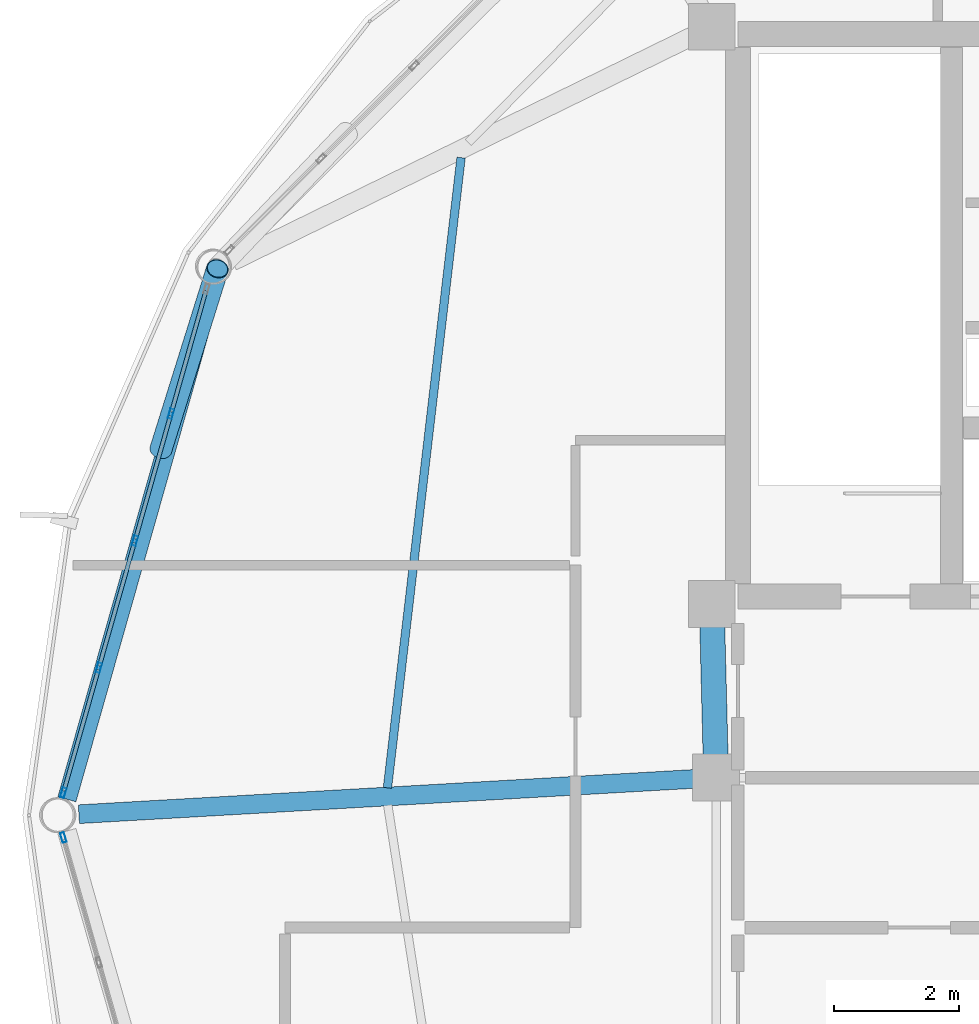
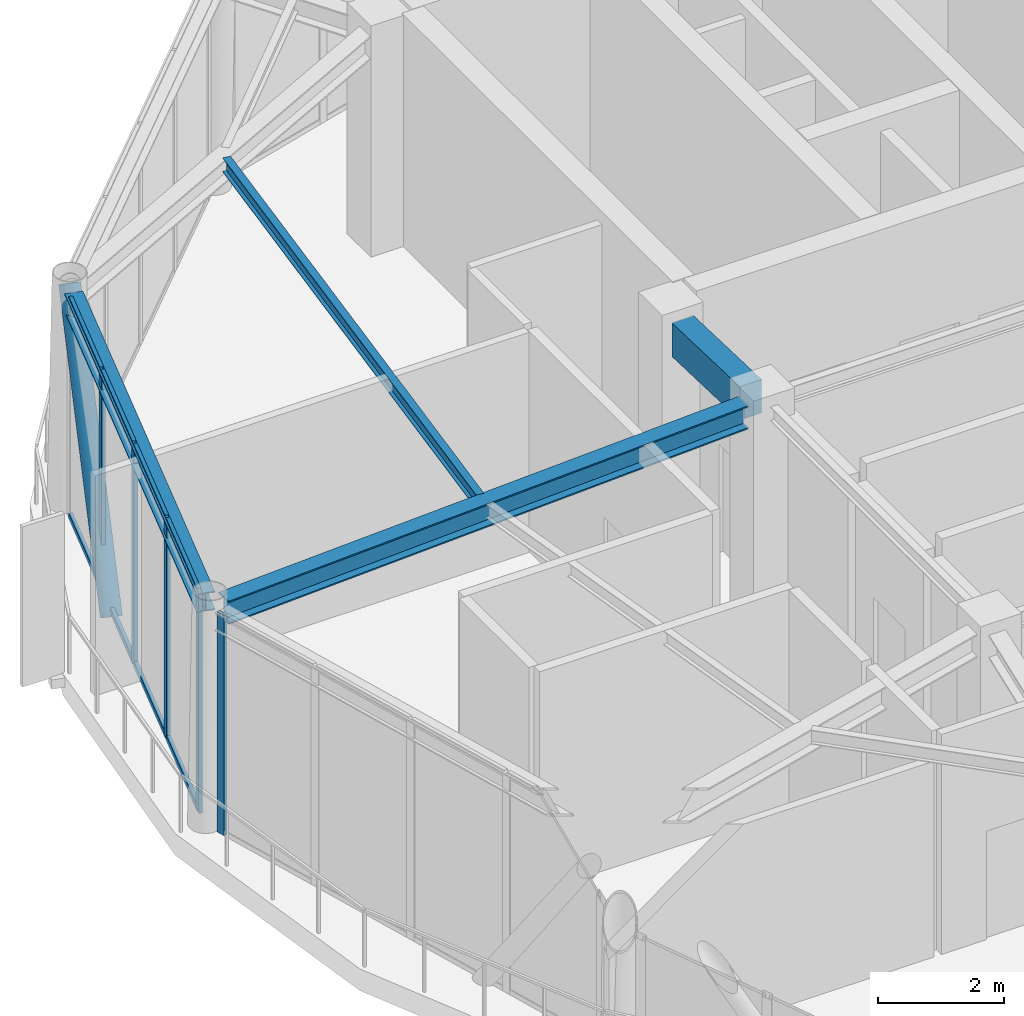
# One storey, part 11 of 26: 14 members, 4 beams, 2 elements without a shape of their own.
"""IFC4 building model written with IfcOpenShell, lengths in metres."""

from ifc_helpers import new_model, si_unit, direction, frame, origin, origin_2d, place, context, subcontext, project, spatial, rectangle, hollow_rectangle, hollow_circle, i_section, extrude, material, layer, layer_set, material_profile, profile_set, type_object, element, aggregate, save


model = new_model("IFC4")

# Units and contexts
model_context = context("Model", 3, precision=1e-05, world=origin(), true_north=direction((0.0, 1.0)))
body_context = subcontext(model_context, "Body", "Model", "MODEL_VIEW")
ifc_project = project(units=[si_unit("LENGTHUNIT", "METRE"), si_unit("AREAUNIT", "SQUARE_METRE"), si_unit("VOLUMEUNIT", "CUBIC_METRE"), si_unit("PLANEANGLEUNIT", "RADIAN"), si_unit("MASSUNIT", "GRAM", prefix="KILO")], contexts=[model_context])

# Site, building, storey
site_placement = place(None, origin())
site = spatial("IfcSite", under=ifc_project, at=site_placement, CompositionType="ELEMENT")
building_placement = place(site_placement, origin())
building = spatial("IfcBuilding", under=site, at=building_placement, Name="Varnakorn Sky Granary", CompositionType="ELEMENT")
storey_placement = place(building_placement, frame((0.0, 0.0, 289.5)))
storey = spatial("IfcBuildingStorey", under=building, at=storey_placement, Name="L74", CompositionType="ELEMENT", Elevation=289.5)

# Beams
ifc_material_1 = material(Name="Concrete C50/60", Category="concrete")
ifc_material_profile_1 = material_profile(ifc_material_1, rectangle(XDim=0.39990234375, YDim=0.64990234375, at=origin_2d()), Name="RC 400x650")
ifc_profile_set_1 = profile_set([ifc_material_profile_1], Name="Concrete C50/60")
beam_type_1 = type_object("IfcBeamType", Name="BM-LIN-650", PredefinedType="LINTEL", material=ifc_profile_set_1)
beam_1_placement = place(storey_placement, frame((-2.4111328125, 3.025146484375, 3.93505859375), z_axis=(0.025227817192, -0.999681727971, 0.0), x_axis=(0.999681727971, 0.025227817192, 0.0)))
element("IfcBeam", 1, at=beam_1_placement, inside=storey, type_object=beam_type_1, Name="Core Spine Framing Beam 1 L74", PredefinedType="LINTEL", context=body_context, shape_type="SweptSolid", body=[
    extrude(rectangle(XDim=0.39990234375, YDim=0.64990234375, at=origin_2d()), origin(), (0.0, 0.0, 1.0), 2.071044921875),
])
ifc_material_2 = material(Name="Steel S355JR", Category="steel")
ifc_material_profile_2 = material_profile(ifc_material_2, i_section(OverallWidth=0.300048828125, OverallDepth=0.449951171875, WebThickness=0.013916015625, FlangeThickness=0.02587890625, at=origin_2d()), Name="HE 450 B")
ifc_profile_set_2 = profile_set([ifc_material_profile_2], Name="Steel S355JR")
beam_type_2 = type_object("IfcBeamType", Name="BM-RAD-Z5", PredefinedType="BEAM", material=ifc_profile_set_2)
beam_2_placement = place(storey_placement, frame((-2.704345703125, 0.57958984375, 4.034912109375), z_axis=(-0.998360600352, -0.057237327548, 0.0), x_axis=(0.057237327548, -0.998360600352, 0.0)))
element("IfcBeam", 2, at=beam_2_placement, inside=storey, type_object=beam_type_2, Name="Radial Floor Girder RG07 L74", PredefinedType="BEAM", context=body_context, shape_type="SweptSolid", body=[
    extrude(i_section(OverallWidth=0.300048828125, OverallDepth=0.449951171875, WebThickness=0.013916015625, FlangeThickness=0.02587890625, at=origin_2d()), origin(), (0.0, 0.0, 1.0), 9.861572265625),
])
ifc_material_profile_3 = material_profile(ifc_material_2, i_section(OverallWidth=0.135009765625, OverallDepth=0.27001953125, WebThickness=0.006591796875, FlangeThickness=0.01025390625, at=origin_2d()), Name="IPE 270")
ifc_profile_set_3 = profile_set([ifc_material_profile_3], Name="Steel S355JR")
beam_type_3 = type_object("IfcBeamType", Name="BM-SEC-Z5", PredefinedType="BEAM", material=ifc_profile_set_3)
beam_3_placement = place(storey_placement, frame((-6.43212890625, 10.5244140625, 4.125), z_axis=(-0.116054608039, -0.993242834333, 0.0), x_axis=(0.993242834333, -0.116054608039, 0.0)))
element("IfcBeam", 3, at=beam_3_placement, inside=storey, type_object=beam_type_3, Name="Secondary Floor Chord Beam MSB06 L74", PredefinedType="BEAM", context=body_context, shape_type="SweptSolid", body=[
    extrude(i_section(OverallWidth=0.135009765625, OverallDepth=0.27001953125, WebThickness=0.006591796875, FlangeThickness=0.01025390625, at=origin_2d()), origin(), (0.0, 0.0, 1.0), 10.156494140625),
])
ifc_material_profile_4 = material_profile(ifc_material_2, i_section(OverallWidth=0.300048828125, OverallDepth=0.360107421875, WebThickness=0.012451171875, FlangeThickness=0.0224609375, at=origin_2d()), Name="HE 360 B")
ifc_profile_set_4 = profile_set([ifc_material_profile_4], Name="Steel S355JR")
beam_type_4 = type_object("IfcBeamType", Name="BM-SPD-Z5", PredefinedType="SPANDREL", material=ifc_profile_set_4)
beam_4_placement = place(storey_placement, frame((-10.40283203125, 8.49267578125, 4.080078125), z_axis=(-0.273109218008, -0.961983032615, 0.0), x_axis=(0.961983032615, -0.273109218008, 0.0)))
element("IfcBeam", 4, at=beam_4_placement, inside=storey, type_object=beam_type_4, Name="Perimeter Spandrel Ring Beam RB06 L74", PredefinedType="SPANDREL", context=body_context, shape_type="SweptSolid", body=[
    extrude(i_section(OverallWidth=0.300048828125, OverallDepth=0.360107421875, WebThickness=0.012451171875, FlangeThickness=0.0224609375, at=origin_2d()), origin(), (0.0, 0.0, 1.0), 8.56396484375),
])

# Curtain wall, members
ifc_material_3 = material(Name="Anodised Bronze Aluminium Alloy 6063-T6", Category="aluminium")
ifc_layer = layer(ifc_material_3, 0.159912109375, Name="Anodised Bronze Aluminium Alloy 6063-T6")
ifc_layer_set = layer_set([ifc_layer], Name="Anodised Bronze Aluminium Alloy 6063-T6")
curtain_wall_type = type_object("IfcCurtainWallType", Name="CW-OFF-1", PredefinedType="USERDEFINED", material=ifc_layer_set)
curtain_wall_1_placement = place(storey_placement, origin())
curtain_wall_1 = element("IfcCurtainWall", 5, at=curtain_wall_1_placement, inside=storey, type_object=curtain_wall_type, Name="Unitised Curtain Wall CW6 CW-L74-B06", ObjectType="CURTAIN WALL", PredefinedType="USERDEFINED")
ifc_material_profile_5 = material_profile(ifc_material_3, hollow_rectangle(XDim=0.06494140625, YDim=0.159912109375, WallThickness=0.00341796875, at=origin_2d()), Name="ALU MULL 65x160")
ifc_profile_set_5 = profile_set([ifc_material_profile_5], Name="Anodised Bronze Aluminium Alloy 6063-T6")
member_type_1 = type_object("IfcMemberType", Name="CW-OFF-1-MULL", PredefinedType="MULLION", material=ifc_profile_set_5)
member_1_placement = place(storey_placement, frame((-12.79833984375, 0.35791015625, 0.0), z_axis=(0.0, 0.0, 1.0), x_axis=(-0.961937230884, 0.273270495734, 0.0)))
member_1 = element("IfcMember", 6, at=member_1_placement, type_object=member_type_1, Name="CW6 mullion 1", PredefinedType="MULLION", context=body_context, shape_type="SweptSolid", body=[
    extrude(hollow_rectangle(XDim=0.06494140625, YDim=0.159912109375, WallThickness=0.00341796875, at=origin_2d()), origin(), (0.0, 0.0, 1.0), 4.260009765625),
])
member_2_placement = place(storey_placement, frame((-12.229736328125, 2.35888671875, 0.0), z_axis=(0.0, 0.0, 1.0), x_axis=(-0.961937230884, 0.273270495734, 0.0)))
member_2 = element("IfcMember", 7, at=member_2_placement, type_object=member_type_1, Name="CW6 mullion 2", PredefinedType="MULLION", context=body_context, shape_type="SweptSolid", body=[
    extrude(hollow_rectangle(XDim=0.06494140625, YDim=0.159912109375, WallThickness=0.00341796875, at=origin_2d()), origin(), (0.0, 0.0, 1.0), 4.260009765625),
])
member_3_placement = place(storey_placement, frame((-11.652587890625, 4.391357421875, 0.0), z_axis=(0.0, 0.0, 1.0), x_axis=(-0.961937230884, 0.273270495734, 0.0)))
member_3 = element("IfcMember", 8, at=member_3_placement, type_object=member_type_1, Name="CW6 mullion 3", PredefinedType="MULLION", context=body_context, shape_type="SweptSolid", body=[
    extrude(hollow_rectangle(XDim=0.06494140625, YDim=0.159912109375, WallThickness=0.00341796875, at=origin_2d()), origin(), (0.0, 0.0, 1.0), 4.260009765625),
])
member_4_placement = place(storey_placement, frame((-11.0751953125, 6.423583984375, 0.0), z_axis=(0.0, 0.0, 1.0), x_axis=(-0.961937230884, 0.273270495734, 0.0)))
member_4 = element("IfcMember", 9, at=member_4_placement, type_object=member_type_1, Name="CW6 mullion 4", PredefinedType="MULLION", context=body_context, shape_type="SweptSolid", body=[
    extrude(hollow_rectangle(XDim=0.06494140625, YDim=0.159912109375, WallThickness=0.00341796875, at=origin_2d()), origin(), (0.0, 0.0, 1.0), 4.260009765625),
])

# Curtain wall, member
curtain_wall_2_placement = place(storey_placement, origin())
curtain_wall_2 = element("IfcCurtainWall", 10, at=curtain_wall_2_placement, inside=storey, type_object=curtain_wall_type, Name="Unitised Curtain Wall CW6 CW-L74-B07", ObjectType="CURTAIN WALL", PredefinedType="USERDEFINED")
member_5_placement = place(storey_placement, frame((-12.79833984375, -0.35791015625, 0.0), z_axis=(0.0, 0.0, 1.0), x_axis=(-0.961937230884, -0.273270495734, 0.0)))
member_5 = element("IfcMember", 11, at=member_5_placement, type_object=member_type_1, Name="CW6 mullion 5", PredefinedType="MULLION", context=body_context, shape_type="SweptSolid", body=[
    extrude(hollow_rectangle(XDim=0.06494140625, YDim=0.159912109375, WallThickness=0.00341796875, at=origin_2d()), origin(), (0.0, 0.0, 1.0), 4.260009765625),
])
aggregate(curtain_wall_2, [member_5])

# Member
ifc_material_profile_6 = material_profile(ifc_material_3, hollow_rectangle(XDim=0.06494140625, YDim=0.1201171875, WallThickness=0.00341796875, at=origin_2d()), Name="ALU TRAN 65x120")
ifc_profile_set_6 = profile_set([ifc_material_profile_6], Name="Anodised Bronze Aluminium Alloy 6063-T6")
member_type_2 = type_object("IfcMemberType", Name="CW-OFF-1-TRAN", PredefinedType="USERDEFINED", material=ifc_profile_set_6)
member_6_placement = place(storey_placement, frame((-12.78955078125, 0.38916015625, 0.032470703125), z_axis=(0.273312758761, 0.961925223652, 0.0), x_axis=(-0.961925223652, 0.273312758761, 0.0)))
member_6 = element("IfcMember", 12, at=member_6_placement, type_object=member_type_2, Name="CW6 transom 1.1", ObjectType="TRANSOM", PredefinedType="USERDEFINED", context=body_context, shape_type="SweptSolid", body=[
    extrude(hollow_rectangle(XDim=0.06494140625, YDim=0.1201171875, WallThickness=0.00341796875, at=origin_2d()), origin(), (0.0, 0.0, 1.0), 2.01513671875),
])

member_7_placement = place(storey_placement, frame((-12.78955078125, 0.38916015625, 4.2275390625), z_axis=(0.273312758761, 0.961925223652, 0.0), x_axis=(-0.961925223652, 0.273312758761, 0.0)))
member_7 = element("IfcMember", 13, at=member_7_placement, type_object=member_type_2, Name="CW6 transom 1.2", ObjectType="TRANSOM", PredefinedType="USERDEFINED", context=body_context, shape_type="SweptSolid", body=[
    extrude(hollow_rectangle(XDim=0.06494140625, YDim=0.1201171875, WallThickness=0.00341796875, at=origin_2d()), origin(), (0.0, 0.0, 1.0), 2.01513671875),
])

member_8_placement = place(storey_placement, frame((-12.220947265625, 2.39013671875, 0.032470703125), z_axis=(0.273240737193, 0.961945684297, 0.0), x_axis=(-0.961945684297, 0.273240737193, 0.0)))
member_8 = element("IfcMember", 14, at=member_8_placement, type_object=member_type_2, Name="CW6 transom 2.1", ObjectType="TRANSOM", PredefinedType="USERDEFINED", context=body_context, shape_type="SweptSolid", body=[
    extrude(hollow_rectangle(XDim=0.06494140625, YDim=0.1201171875, WallThickness=0.00341796875, at=origin_2d()), origin(), (0.0, 0.0, 1.0), 2.0478515625),
])

member_9_placement = place(storey_placement, frame((-12.220947265625, 2.39013671875, 4.2275390625), z_axis=(0.273240737193, 0.961945684297, 0.0), x_axis=(-0.961945684297, 0.273240737193, 0.0)))
member_9 = element("IfcMember", 15, at=member_9_placement, type_object=member_type_2, Name="CW6 transom 2.2", ObjectType="TRANSOM", PredefinedType="USERDEFINED", context=body_context, shape_type="SweptSolid", body=[
    extrude(hollow_rectangle(XDim=0.06494140625, YDim=0.1201171875, WallThickness=0.00341796875, at=origin_2d()), origin(), (0.0, 0.0, 1.0), 2.0478515625),
])

member_10_placement = place(storey_placement, frame((-11.6435546875, 4.422607421875, 0.032470703125), z_axis=(0.273272075435, 0.961936782116, 0.0), x_axis=(-0.961936782116, 0.273272075435, 0.0)))
member_10 = element("IfcMember", 16, at=member_10_placement, type_object=member_type_2, Name="CW6 transom 3.1", ObjectType="TRANSOM", PredefinedType="USERDEFINED", context=body_context, shape_type="SweptSolid", body=[
    extrude(hollow_rectangle(XDim=0.06494140625, YDim=0.1201171875, WallThickness=0.00341796875, at=origin_2d()), origin(), (0.0, 0.0, 1.0), 2.047607421875),
])

member_11_placement = place(storey_placement, frame((-11.6435546875, 4.422607421875, 4.2275390625), z_axis=(0.273272075435, 0.961936782116, 0.0), x_axis=(-0.961936782116, 0.273272075435, 0.0)))
member_11 = element("IfcMember", 17, at=member_11_placement, type_object=member_type_2, Name="CW6 transom 3.2", ObjectType="TRANSOM", PredefinedType="USERDEFINED", context=body_context, shape_type="SweptSolid", body=[
    extrude(hollow_rectangle(XDim=0.06494140625, YDim=0.1201171875, WallThickness=0.00341796875, at=origin_2d()), origin(), (0.0, 0.0, 1.0), 2.047607421875),
])

member_12_placement = place(storey_placement, frame((-11.066162109375, 6.454833984375, 0.032470703125), z_axis=(0.273200653755, 0.961957069098, 0.0), x_axis=(-0.961957069098, 0.273200653755, 0.0)))
member_12 = element("IfcMember", 18, at=member_12_placement, type_object=member_type_2, Name="CW6 transom 4.1", ObjectType="TRANSOM", PredefinedType="USERDEFINED", context=body_context, shape_type="SweptSolid", body=[
    extrude(hollow_rectangle(XDim=0.06494140625, YDim=0.1201171875, WallThickness=0.00341796875, at=origin_2d()), origin(), (0.0, 0.0, 1.0), 2.01513671875),
])

member_13_placement = place(storey_placement, frame((-11.066162109375, 6.454833984375, 4.2275390625), z_axis=(0.273200653755, 0.961957069098, 0.0), x_axis=(-0.961957069098, 0.273200653755, 0.0)))
member_13 = element("IfcMember", 19, at=member_13_placement, type_object=member_type_2, Name="CW6 transom 4.2", ObjectType="TRANSOM", PredefinedType="USERDEFINED", context=body_context, shape_type="SweptSolid", body=[
    extrude(hollow_rectangle(XDim=0.06494140625, YDim=0.1201171875, WallThickness=0.00341796875, at=origin_2d()), origin(), (0.0, 0.0, 1.0), 2.01513671875),
])

aggregate(curtain_wall_1, [member_1, member_2, member_3, member_4, member_6, member_7, member_8, member_9, member_10, member_11, member_12, member_13])

ifc_material_4 = material(Name="Steel S460M", Category="steel")
ifc_material_profile_7 = material_profile(ifc_material_4, hollow_circle(Radius=0.177734375, WallThickness=0.01416015625, at=origin_2d()), Name="CHS 355.6x14")
ifc_profile_set_7 = profile_set([ifc_material_profile_7], Name="Steel S460M")
member_type_3 = type_object("IfcMemberType", Name="MB-DIAG-T5", PredefinedType="BRACE", material=ifc_profile_set_7)
member_14_placement = place(storey_placement, frame((-11.23681640625, 5.85498046875, -0.1298828125), z_axis=(0.169885490828, 0.54215073393, 0.822928612764), x_axis=(-0.954247485718, 0.299017952641, 0.0)))
element("IfcMember", 20, at=member_14_placement, inside=storey, type_object=member_type_3, Name="Perimeter CHS Diagrid Brace DG06 L74", PredefinedType="BRACE", context=body_context, shape_type="SweptSolid", body=[
    extrude(hollow_circle(Radius=0.177734375, WallThickness=0.01416015625, at=origin_2d()), origin(), (0.0, 0.0, 1.0), 5.33447265625),
])

save(model, "model.ifc")
